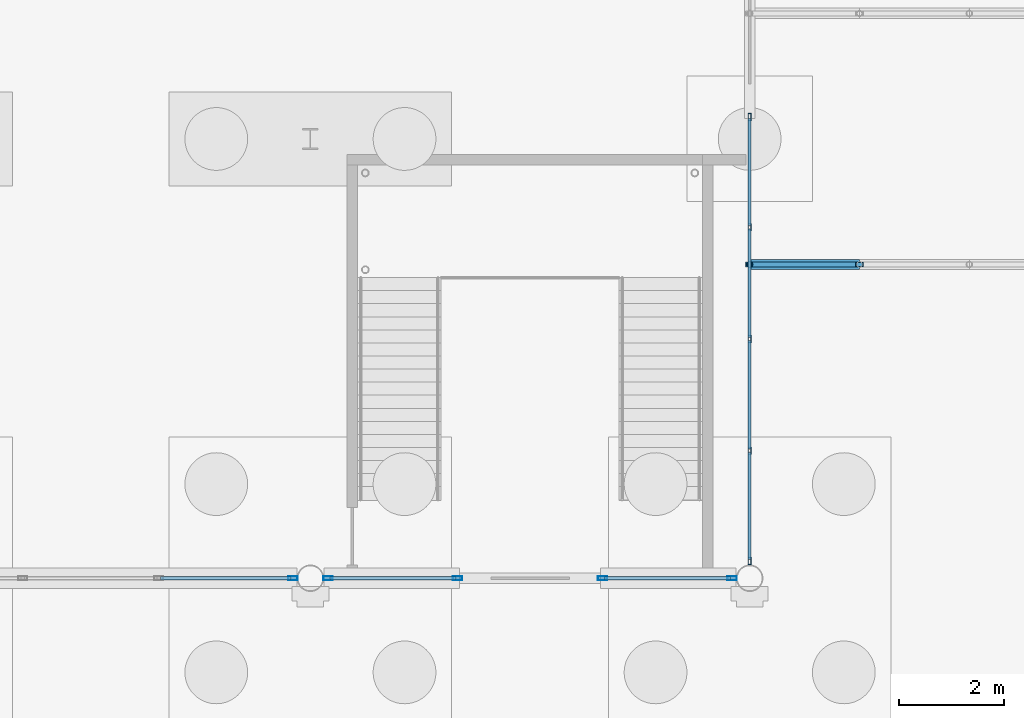
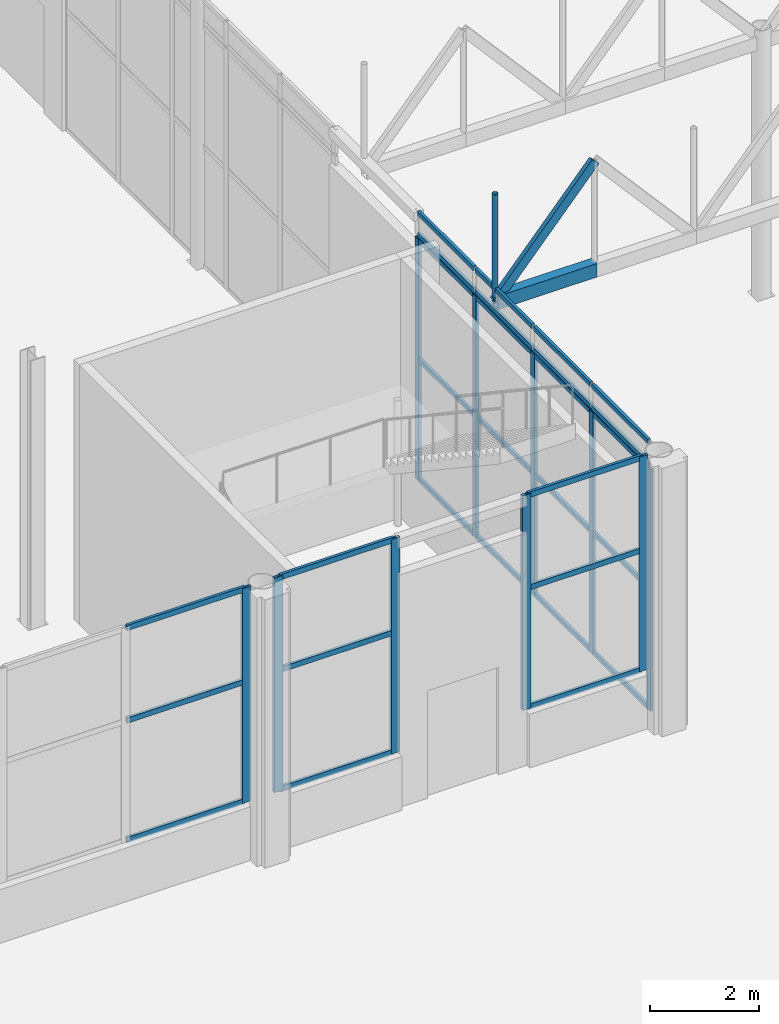
# One storey, part 110 of 212: 42 members, 5 elements without a shape of their own.
"""IFC4 building model written with IfcOpenShell, lengths in metres."""

from ifc_helpers import new_model, si_unit, direction, frame, origin, origin_2d, place, context, subcontext, project, spatial, hollow_rectangle, hollow_circle, extrude, material, material_profile, profile_set, type_object, element, aggregate, save


model = new_model("IFC4")

# Units and contexts
model_context = context("Model", 3, precision=1e-05, world=origin(), true_north=direction((0.0, 1.0)))
body_context = subcontext(model_context, "Body", "Model", "MODEL_VIEW")
ifc_project = project(units=[si_unit("LENGTHUNIT", "METRE"), si_unit("AREAUNIT", "SQUARE_METRE"), si_unit("VOLUMEUNIT", "CUBIC_METRE"), si_unit("PLANEANGLEUNIT", "RADIAN"), si_unit("MASSUNIT", "GRAM", prefix="KILO")], contexts=[model_context])

# Site, building, storey
site_placement = place(None, origin())
site = spatial("IfcSite", under=ifc_project, at=site_placement, CompositionType="ELEMENT")
building_placement = place(site_placement, origin())
building = spatial("IfcBuilding", under=site, at=building_placement, Name="Catenary Quay Ferry Terminal", CompositionType="ELEMENT")
storey_placement = place(building_placement, origin())
storey = spatial("IfcBuildingStorey", under=building, at=storey_placement, Name="L00", CompositionType="ELEMENT", Elevation=0.0)

# Members
ifc_material_1 = material(Name="Steel S355", Category="steel")
ifc_material_profile_1 = material_profile(ifc_material_1, hollow_rectangle(XDim=0.10009765625, YDim=0.199951171875, WallThickness=0.008056640625, at=origin_2d()), Name="RHS 200x100x8")
ifc_profile_set_1 = profile_set([ifc_material_profile_1], Name="Steel S355")
member_type_1 = type_object("IfcMemberType", Name="BR3 RHS 200x100x8", PredefinedType="BRACE", material=ifc_profile_set_1)
member_1_placement = place(storey_placement, frame((92.39990234375, 73.199951171875, 5.699951171875), z_axis=(0.65849918825, 0.0, 0.752581436839), x_axis=(0.0, 1.0, 0.0)))
element("IfcMember", 1, at=member_1_placement, inside=storey, type_object=member_type_1, Name="Bridge diagonal BB1S-D01", PredefinedType="BRACE", context=body_context, shape_type="SweptSolid", body=[
    extrude(hollow_rectangle(XDim=0.10009765625, YDim=0.199951171875, WallThickness=0.008056640625, at=origin_2d()), origin(), (0.0, 0.0, 1.0), 3.189208984375),
])
ifc_material_2 = material(Name="Steel S355", Category="steel")
ifc_material_profile_2 = material_profile(ifc_material_2, hollow_circle(Radius=0.05712890625, WallThickness=0.00634765625, at=origin_2d()), Name="CHS 114.3x6.3")
ifc_profile_set_2 = profile_set([ifc_material_profile_2], Name="Steel S355")
member_type_2 = type_object("IfcMemberType", Name="HG1 CHS 114.3x6.3", PredefinedType="POST", material=ifc_profile_set_2)
member_2_placement = place(storey_placement, frame((92.39990234375, 73.199951171875, 5.699951171875), z_axis=(0.0, 0.0, 1.0), x_axis=(1.0, 0.0, 0.0)))
element("IfcMember", 2, at=member_2_placement, inside=storey, type_object=member_type_2, Name="Bridge post BB1S-P01", PredefinedType="POST", context=body_context, shape_type="SweptSolid", body=[
    extrude(hollow_circle(Radius=0.05712890625, WallThickness=0.00634765625, at=origin_2d()), origin(), (0.0, 0.0, 1.0), 2.400146484375),
])

# Curtain wall, members
ifc_material_3 = material(Name="Aluminium and glass", Category="aluminium")
curtain_wall_type_1 = type_object("IfcCurtainWallType", Name="CWG", PredefinedType="NOTDEFINED", material=ifc_material_3)
curtain_wall_1_placement = place(storey_placement, origin())
curtain_wall_1 = element("IfcCurtainWall", 3, at=curtain_wall_1_placement, inside=storey, type_object=curtain_wall_type_1, Name="Gable arrivals hall curtain wall CW6", PredefinedType="NOTDEFINED")
ifc_material_4 = material(Name="Aluminium", Category="aluminium")
ifc_material_profile_3 = material_profile(ifc_material_4, hollow_rectangle(XDim=0.06005859375, YDim=0.139892578125, WallThickness=0.006103515625, at=origin_2d()), Name="MU2")
ifc_profile_set_3 = profile_set([ifc_material_profile_3], Name="Aluminium")
member_type_3 = type_object("IfcMemberType", Name="MU2", PredefinedType="MULLION", material=ifc_profile_set_3)
member_3_placement = place(storey_placement, frame((92.39990234375, 67.530029296875, 0.0), z_axis=(0.0, 0.0, 1.0), x_axis=(-1.0, 0.0, 0.0)))
member_3 = element("IfcMember", 4, at=member_3_placement, type_object=member_type_3, Name="CW6 mullion 1", PredefinedType="MULLION", context=body_context, shape_type="SweptSolid", body=[
    extrude(hollow_rectangle(XDim=0.06005859375, YDim=0.139892578125, WallThickness=0.006103515625, at=origin_2d()), origin(), (0.0, 0.0, 1.0), 5.39990234375),
])
member_4_placement = place(storey_placement, frame((92.39990234375, 69.637451171875, 0.0), z_axis=(0.0, 0.0, 1.0), x_axis=(-1.0, 0.0, 0.0)))
member_4 = element("IfcMember", 5, at=member_4_placement, type_object=member_type_3, Name="CW6 mullion 2", PredefinedType="MULLION", context=body_context, shape_type="SweptSolid", body=[
    extrude(hollow_rectangle(XDim=0.06005859375, YDim=0.139892578125, WallThickness=0.006103515625, at=origin_2d()), origin(), (0.0, 0.0, 1.0), 5.39990234375),
])
member_5_placement = place(storey_placement, frame((92.39990234375, 71.77490234375, 0.0), z_axis=(0.0, 0.0, 1.0), x_axis=(-1.0, 0.0, 0.0)))
member_5 = element("IfcMember", 6, at=member_5_placement, type_object=member_type_3, Name="CW6 mullion 3", PredefinedType="MULLION", context=body_context, shape_type="SweptSolid", body=[
    extrude(hollow_rectangle(XDim=0.06005859375, YDim=0.139892578125, WallThickness=0.006103515625, at=origin_2d()), origin(), (0.0, 0.0, 1.0), 5.39990234375),
])
member_6_placement = place(storey_placement, frame((92.39990234375, 73.91259765625, 0.0), z_axis=(0.0, 0.0, 1.0), x_axis=(-1.0, 0.0, 0.0)))
member_6 = element("IfcMember", 7, at=member_6_placement, type_object=member_type_3, Name="CW6 mullion 4", PredefinedType="MULLION", context=body_context, shape_type="SweptSolid", body=[
    extrude(hollow_rectangle(XDim=0.06005859375, YDim=0.139892578125, WallThickness=0.006103515625, at=origin_2d()), origin(), (0.0, 0.0, 1.0), 5.39990234375),
])
member_7_placement = place(storey_placement, frame((92.39990234375, 76.02001953125, 0.0), z_axis=(0.0, 0.0, 1.0), x_axis=(-1.0, 0.0, 0.0)))
member_7 = element("IfcMember", 8, at=member_7_placement, type_object=member_type_3, Name="CW6 mullion 5", PredefinedType="MULLION", context=body_context, shape_type="SweptSolid", body=[
    extrude(hollow_rectangle(XDim=0.06005859375, YDim=0.139892578125, WallThickness=0.006103515625, at=origin_2d()), origin(), (0.0, 0.0, 1.0), 5.39990234375),
])

# Curtain wall, member
ifc_material_5 = material(Name="Aluminium and glass", Category="aluminium")
curtain_wall_type_2 = type_object("IfcCurtainWallType", Name="CWH", PredefinedType="NOTDEFINED", material=ifc_material_5)
curtain_wall_2_placement = place(storey_placement, origin())
curtain_wall_2 = element("IfcCurtainWall", 9, at=curtain_wall_2_placement, inside=storey, type_object=curtain_wall_type_2, Name="Hall curtain wall CW29", PredefinedType="NOTDEFINED")
ifc_material_6 = material(Name="Aluminium", Category="aluminium")
ifc_material_profile_4 = material_profile(ifc_material_6, hollow_rectangle(XDim=0.070068359375, YDim=0.179931640625, WallThickness=0.006103515625, at=origin_2d()), Name="MU3")
ifc_profile_set_4 = profile_set([ifc_material_profile_4], Name="Aluminium")
member_type_4 = type_object("IfcMemberType", Name="MU3", PredefinedType="MULLION", material=ifc_profile_set_4)
member_8_placement = place(storey_placement, frame((83.6650390625, 67.199951171875, 1.199951171875), z_axis=(0.0, 0.0, 1.0), x_axis=(0.0, 1.0, 0.0)))
member_8 = element("IfcMember", 10, at=member_8_placement, type_object=member_type_4, Name="CW29 mullion 4", PredefinedType="MULLION", context=body_context, shape_type="SweptSolid", body=[
    extrude(hollow_rectangle(XDim=0.070068359375, YDim=0.179931640625, WallThickness=0.006103515625, at=origin_2d()), origin(), (0.0, 0.0, 1.0), 4.800048828125),
])

# Curtain wall, members
curtain_wall_3_placement = place(storey_placement, origin())
curtain_wall_3 = element("IfcCurtainWall", 11, at=curtain_wall_3_placement, inside=storey, type_object=curtain_wall_type_2, Name="Hall curtain wall CW30", PredefinedType="NOTDEFINED")
member_9_placement = place(storey_placement, frame((84.3349609375, 67.199951171875, 1.199951171875), z_axis=(0.0, 0.0, 1.0), x_axis=(0.0, 1.0, 0.0)))
member_9 = element("IfcMember", 12, at=member_9_placement, type_object=member_type_4, Name="CW30 mullion 1", PredefinedType="MULLION", context=body_context, shape_type="SweptSolid", body=[
    extrude(hollow_rectangle(XDim=0.070068359375, YDim=0.179931640625, WallThickness=0.006103515625, at=origin_2d()), origin(), (0.0, 0.0, 1.0), 4.800048828125),
])
member_10_placement = place(storey_placement, frame((86.81494140625, 67.199951171875, 1.199951171875), z_axis=(0.0, 0.0, 1.0), x_axis=(0.0, 1.0, 0.0)))
member_10 = element("IfcMember", 13, at=member_10_placement, type_object=member_type_4, Name="CW30 mullion 2", PredefinedType="MULLION", context=body_context, shape_type="SweptSolid", body=[
    extrude(hollow_rectangle(XDim=0.070068359375, YDim=0.179931640625, WallThickness=0.006103515625, at=origin_2d()), origin(), (0.0, 0.0, 1.0), 4.800048828125),
])

curtain_wall_4_placement = place(storey_placement, origin())
curtain_wall_4 = element("IfcCurtainWall", 14, at=curtain_wall_4_placement, inside=storey, type_object=curtain_wall_type_2, Name="Hall curtain wall CW31", PredefinedType="NOTDEFINED")
member_11_placement = place(storey_placement, frame((89.5849609375, 67.199951171875, 1.199951171875), z_axis=(0.0, 0.0, 1.0), x_axis=(0.0, 1.0, 0.0)))
member_11 = element("IfcMember", 15, at=member_11_placement, type_object=member_type_4, Name="CW31 mullion 1", PredefinedType="MULLION", context=body_context, shape_type="SweptSolid", body=[
    extrude(hollow_rectangle(XDim=0.070068359375, YDim=0.179931640625, WallThickness=0.006103515625, at=origin_2d()), origin(), (0.0, 0.0, 1.0), 4.800048828125),
])
member_12_placement = place(storey_placement, frame((92.06494140625, 67.199951171875, 1.199951171875), z_axis=(0.0, 0.0, 1.0), x_axis=(0.0, 1.0, 0.0)))
member_12 = element("IfcMember", 16, at=member_12_placement, type_object=member_type_4, Name="CW31 mullion 2", PredefinedType="MULLION", context=body_context, shape_type="SweptSolid", body=[
    extrude(hollow_rectangle(XDim=0.070068359375, YDim=0.179931640625, WallThickness=0.006103515625, at=origin_2d()), origin(), (0.0, 0.0, 1.0), 4.800048828125),
])

# Member
ifc_material_7 = material(Name="Steel S355", Category="steel")
ifc_material_profile_5 = material_profile(ifc_material_7, hollow_rectangle(XDim=0.199951171875, YDim=0.300048828125, WallThickness=0.012451171875, at=origin_2d()), Name="RHS 300x200x12.5")
ifc_profile_set_5 = profile_set([ifc_material_profile_5], Name="Steel S355")
member_type_5 = type_object("IfcMemberType", Name="TC1 RHS 300x200x12.5", PredefinedType="CHORD", material=ifc_profile_set_5)
member_13_placement = place(storey_placement, frame((92.39990234375, 73.199951171875, 5.699951171875), z_axis=(1.0, 0.0, 0.0), x_axis=(0.0, 1.0, 0.0)))
element("IfcMember", 17, at=member_13_placement, inside=storey, type_object=member_type_5, Name="Bridge bottom chord BB1S-BC01", PredefinedType="CHORD", context=body_context, shape_type="SweptSolid", body=[
    extrude(hollow_rectangle(XDim=0.199951171875, YDim=0.300048828125, WallThickness=0.012451171875, at=origin_2d()), origin(), (0.0, 0.0, 1.0), 2.10009765625),
])

ifc_material_8 = material(Name="Aluminium", Category="aluminium")
ifc_material_profile_6 = material_profile(ifc_material_8, hollow_rectangle(XDim=0.06005859375, YDim=0.10009765625, WallThickness=0.0048828125, at=origin_2d()), Name="TR2")
ifc_profile_set_6 = profile_set([ifc_material_profile_6], Name="Aluminium")
member_type_6 = type_object("IfcMemberType", Name="TR2", PredefinedType="USERDEFINED", material=ifc_profile_set_6)
member_14_placement = place(storey_placement, frame((92.39990234375, 67.56005859375, 0.030029296875), z_axis=(0.0, 1.0, 0.0), x_axis=(-1.0, 0.0, 0.0)))
member_14 = element("IfcMember", 18, at=member_14_placement, type_object=member_type_6, Name="CW6 transom 1.1", ObjectType="TRANSOM", PredefinedType="USERDEFINED", context=body_context, shape_type="SweptSolid", body=[
    extrude(hollow_rectangle(XDim=0.06005859375, YDim=0.10009765625, WallThickness=0.0048828125, at=origin_2d()), origin(), (0.0, 0.0, 1.0), 2.04736328125),
])

member_15_placement = place(storey_placement, frame((92.39990234375, 67.56005859375, 2.699951171875), z_axis=(0.0, 1.0, 0.0), x_axis=(-1.0, 0.0, 0.0)))
member_15 = element("IfcMember", 19, at=member_15_placement, type_object=member_type_6, Name="CW6 transom 1.2", ObjectType="TRANSOM", PredefinedType="USERDEFINED", context=body_context, shape_type="SweptSolid", body=[
    extrude(hollow_rectangle(XDim=0.06005859375, YDim=0.10009765625, WallThickness=0.0048828125, at=origin_2d()), origin(), (0.0, 0.0, 1.0), 2.04736328125),
])

member_16_placement = place(storey_placement, frame((92.39990234375, 67.56005859375, 5.3701171875), z_axis=(0.0, 1.0, 0.0), x_axis=(-1.0, 0.0, 0.0)))
member_16 = element("IfcMember", 20, at=member_16_placement, type_object=member_type_6, Name="CW6 transom 1.3", ObjectType="TRANSOM", PredefinedType="USERDEFINED", context=body_context, shape_type="SweptSolid", body=[
    extrude(hollow_rectangle(XDim=0.06005859375, YDim=0.10009765625, WallThickness=0.0048828125, at=origin_2d()), origin(), (0.0, 0.0, 1.0), 2.04736328125),
])

member_17_placement = place(storey_placement, frame((92.39990234375, 69.66748046875, 0.030029296875), z_axis=(0.0, 1.0, 0.0), x_axis=(-1.0, 0.0, 0.0)))
member_17 = element("IfcMember", 21, at=member_17_placement, type_object=member_type_6, Name="CW6 transom 2.1", ObjectType="TRANSOM", PredefinedType="USERDEFINED", context=body_context, shape_type="SweptSolid", body=[
    extrude(hollow_rectangle(XDim=0.06005859375, YDim=0.10009765625, WallThickness=0.0048828125, at=origin_2d()), origin(), (0.0, 0.0, 1.0), 2.07763671875),
])

member_18_placement = place(storey_placement, frame((92.39990234375, 69.66748046875, 2.699951171875), z_axis=(0.0, 1.0, 0.0), x_axis=(-1.0, 0.0, 0.0)))
member_18 = element("IfcMember", 22, at=member_18_placement, type_object=member_type_6, Name="CW6 transom 2.2", ObjectType="TRANSOM", PredefinedType="USERDEFINED", context=body_context, shape_type="SweptSolid", body=[
    extrude(hollow_rectangle(XDim=0.06005859375, YDim=0.10009765625, WallThickness=0.0048828125, at=origin_2d()), origin(), (0.0, 0.0, 1.0), 2.07763671875),
])

member_19_placement = place(storey_placement, frame((92.39990234375, 69.66748046875, 5.3701171875), z_axis=(0.0, 1.0, 0.0), x_axis=(-1.0, 0.0, 0.0)))
member_19 = element("IfcMember", 23, at=member_19_placement, type_object=member_type_6, Name="CW6 transom 2.3", ObjectType="TRANSOM", PredefinedType="USERDEFINED", context=body_context, shape_type="SweptSolid", body=[
    extrude(hollow_rectangle(XDim=0.06005859375, YDim=0.10009765625, WallThickness=0.0048828125, at=origin_2d()), origin(), (0.0, 0.0, 1.0), 2.07763671875),
])

member_20_placement = place(storey_placement, frame((92.39990234375, 71.804931640625, 0.030029296875), z_axis=(0.0, 1.0, 0.0), x_axis=(-1.0, 0.0, 0.0)))
member_20 = element("IfcMember", 24, at=member_20_placement, type_object=member_type_6, Name="CW6 transom 3.1", ObjectType="TRANSOM", PredefinedType="USERDEFINED", context=body_context, shape_type="SweptSolid", body=[
    extrude(hollow_rectangle(XDim=0.06005859375, YDim=0.10009765625, WallThickness=0.0048828125, at=origin_2d()), origin(), (0.0, 0.0, 1.0), 2.07763671875),
])

member_21_placement = place(storey_placement, frame((92.39990234375, 71.804931640625, 2.699951171875), z_axis=(0.0, 1.0, 0.0), x_axis=(-1.0, 0.0, 0.0)))
member_21 = element("IfcMember", 25, at=member_21_placement, type_object=member_type_6, Name="CW6 transom 3.2", ObjectType="TRANSOM", PredefinedType="USERDEFINED", context=body_context, shape_type="SweptSolid", body=[
    extrude(hollow_rectangle(XDim=0.06005859375, YDim=0.10009765625, WallThickness=0.0048828125, at=origin_2d()), origin(), (0.0, 0.0, 1.0), 2.07763671875),
])

member_22_placement = place(storey_placement, frame((92.39990234375, 71.804931640625, 5.3701171875), z_axis=(0.0, 1.0, 0.0), x_axis=(-1.0, 0.0, 0.0)))
member_22 = element("IfcMember", 26, at=member_22_placement, type_object=member_type_6, Name="CW6 transom 3.3", ObjectType="TRANSOM", PredefinedType="USERDEFINED", context=body_context, shape_type="SweptSolid", body=[
    extrude(hollow_rectangle(XDim=0.06005859375, YDim=0.10009765625, WallThickness=0.0048828125, at=origin_2d()), origin(), (0.0, 0.0, 1.0), 2.07763671875),
])

member_23_placement = place(storey_placement, frame((92.39990234375, 73.9423828125, 0.030029296875), z_axis=(0.0, 1.0, 0.0), x_axis=(-1.0, 0.0, 0.0)))
member_23 = element("IfcMember", 27, at=member_23_placement, type_object=member_type_6, Name="CW6 transom 4.1", ObjectType="TRANSOM", PredefinedType="USERDEFINED", context=body_context, shape_type="SweptSolid", body=[
    extrude(hollow_rectangle(XDim=0.06005859375, YDim=0.10009765625, WallThickness=0.0048828125, at=origin_2d()), origin(), (0.0, 0.0, 1.0), 2.047607421875),
])

member_24_placement = place(storey_placement, frame((92.39990234375, 73.9423828125, 2.699951171875), z_axis=(0.0, 1.0, 0.0), x_axis=(-1.0, 0.0, 0.0)))
member_24 = element("IfcMember", 28, at=member_24_placement, type_object=member_type_6, Name="CW6 transom 4.2", ObjectType="TRANSOM", PredefinedType="USERDEFINED", context=body_context, shape_type="SweptSolid", body=[
    extrude(hollow_rectangle(XDim=0.06005859375, YDim=0.10009765625, WallThickness=0.0048828125, at=origin_2d()), origin(), (0.0, 0.0, 1.0), 2.047607421875),
])

member_25_placement = place(storey_placement, frame((92.39990234375, 73.9423828125, 5.3701171875), z_axis=(0.0, 1.0, 0.0), x_axis=(-1.0, 0.0, 0.0)))
member_25 = element("IfcMember", 29, at=member_25_placement, type_object=member_type_6, Name="CW6 transom 4.3", ObjectType="TRANSOM", PredefinedType="USERDEFINED", context=body_context, shape_type="SweptSolid", body=[
    extrude(hollow_rectangle(XDim=0.06005859375, YDim=0.10009765625, WallThickness=0.0048828125, at=origin_2d()), origin(), (0.0, 0.0, 1.0), 2.047607421875),
])

aggregate(curtain_wall_1, [member_3, member_4, member_5, member_6, member_7, member_14, member_15, member_16, member_17, member_18, member_19, member_20, member_21, member_22, member_23, member_24, member_25])

# Curtain wall, members
ifc_material_9 = material(Name="Aluminium and glass", Category="aluminium")
curtain_wall_type_3 = type_object("IfcCurtainWallType", Name="CWQ", PredefinedType="NOTDEFINED", material=ifc_material_9)
curtain_wall_5_placement = place(storey_placement, origin())
curtain_wall_5 = element("IfcCurtainWall", 30, at=curtain_wall_5_placement, inside=storey, type_object=curtain_wall_type_3, Name="Gable band arrivals hall curtain wall CW170", PredefinedType="NOTDEFINED")
member_26_placement = place(storey_placement, frame((92.39990234375, 67.56005859375, 5.489990234375), z_axis=(0.0, 1.0, 0.0), x_axis=(-1.0, 0.0, 0.0)))
member_26 = element("IfcMember", 31, at=member_26_placement, type_object=member_type_6, Name="CW170 transom 1.1", ObjectType="TRANSOM", PredefinedType="USERDEFINED", context=body_context, shape_type="SweptSolid", body=[
    extrude(hollow_rectangle(XDim=0.06005859375, YDim=0.10009765625, WallThickness=0.0048828125, at=origin_2d()), origin(), (0.0, 0.0, 1.0), 2.04736328125),
])
member_27_placement = place(storey_placement, frame((92.39990234375, 67.56005859375, 5.969970703125), z_axis=(0.0, 1.0, 0.0), x_axis=(-1.0, 0.0, 0.0)))
member_27 = element("IfcMember", 32, at=member_27_placement, type_object=member_type_6, Name="CW170 transom 1.2", ObjectType="TRANSOM", PredefinedType="USERDEFINED", context=body_context, shape_type="SweptSolid", body=[
    extrude(hollow_rectangle(XDim=0.06005859375, YDim=0.10009765625, WallThickness=0.0048828125, at=origin_2d()), origin(), (0.0, 0.0, 1.0), 2.04736328125),
])
member_28_placement = place(storey_placement, frame((92.39990234375, 69.66748046875, 5.489990234375), z_axis=(0.0, 1.0, 0.0), x_axis=(-1.0, 0.0, 0.0)))
member_28 = element("IfcMember", 33, at=member_28_placement, type_object=member_type_6, Name="CW170 transom 2.1", ObjectType="TRANSOM", PredefinedType="USERDEFINED", context=body_context, shape_type="SweptSolid", body=[
    extrude(hollow_rectangle(XDim=0.06005859375, YDim=0.10009765625, WallThickness=0.0048828125, at=origin_2d()), origin(), (0.0, 0.0, 1.0), 2.07763671875),
])
member_29_placement = place(storey_placement, frame((92.39990234375, 69.66748046875, 5.969970703125), z_axis=(0.0, 1.0, 0.0), x_axis=(-1.0, 0.0, 0.0)))
member_29 = element("IfcMember", 34, at=member_29_placement, type_object=member_type_6, Name="CW170 transom 2.2", ObjectType="TRANSOM", PredefinedType="USERDEFINED", context=body_context, shape_type="SweptSolid", body=[
    extrude(hollow_rectangle(XDim=0.06005859375, YDim=0.10009765625, WallThickness=0.0048828125, at=origin_2d()), origin(), (0.0, 0.0, 1.0), 2.07763671875),
])
member_30_placement = place(storey_placement, frame((92.39990234375, 71.804931640625, 5.489990234375), z_axis=(0.0, 1.0, 0.0), x_axis=(-1.0, 0.0, 0.0)))
member_30 = element("IfcMember", 35, at=member_30_placement, type_object=member_type_6, Name="CW170 transom 3.1", ObjectType="TRANSOM", PredefinedType="USERDEFINED", context=body_context, shape_type="SweptSolid", body=[
    extrude(hollow_rectangle(XDim=0.06005859375, YDim=0.10009765625, WallThickness=0.0048828125, at=origin_2d()), origin(), (0.0, 0.0, 1.0), 2.07763671875),
])
member_31_placement = place(storey_placement, frame((92.39990234375, 71.804931640625, 5.969970703125), z_axis=(0.0, 1.0, 0.0), x_axis=(-1.0, 0.0, 0.0)))
member_31 = element("IfcMember", 36, at=member_31_placement, type_object=member_type_6, Name="CW170 transom 3.2", ObjectType="TRANSOM", PredefinedType="USERDEFINED", context=body_context, shape_type="SweptSolid", body=[
    extrude(hollow_rectangle(XDim=0.06005859375, YDim=0.10009765625, WallThickness=0.0048828125, at=origin_2d()), origin(), (0.0, 0.0, 1.0), 2.07763671875),
])
member_32_placement = place(storey_placement, frame((92.39990234375, 73.9423828125, 5.489990234375), z_axis=(0.0, 1.0, 0.0), x_axis=(-1.0, 0.0, 0.0)))
member_32 = element("IfcMember", 37, at=member_32_placement, type_object=member_type_6, Name="CW170 transom 4.1", ObjectType="TRANSOM", PredefinedType="USERDEFINED", context=body_context, shape_type="SweptSolid", body=[
    extrude(hollow_rectangle(XDim=0.06005859375, YDim=0.10009765625, WallThickness=0.0048828125, at=origin_2d()), origin(), (0.0, 0.0, 1.0), 2.047607421875),
])
member_33_placement = place(storey_placement, frame((92.39990234375, 73.9423828125, 5.969970703125), z_axis=(0.0, 1.0, 0.0), x_axis=(-1.0, 0.0, 0.0)))
member_33 = element("IfcMember", 38, at=member_33_placement, type_object=member_type_6, Name="CW170 transom 4.2", ObjectType="TRANSOM", PredefinedType="USERDEFINED", context=body_context, shape_type="SweptSolid", body=[
    extrude(hollow_rectangle(XDim=0.06005859375, YDim=0.10009765625, WallThickness=0.0048828125, at=origin_2d()), origin(), (0.0, 0.0, 1.0), 2.047607421875),
])
aggregate(curtain_wall_5, [member_26, member_27, member_28, member_29, member_30, member_31, member_32, member_33])

# Member
ifc_material_10 = material(Name="Aluminium", Category="aluminium")
ifc_material_profile_7 = material_profile(ifc_material_10, hollow_rectangle(XDim=0.06005859375, YDim=0.1201171875, WallThickness=0.0048828125, at=origin_2d()), Name="TR3")
ifc_profile_set_7 = profile_set([ifc_material_profile_7], Name="Aluminium")
member_type_7 = type_object("IfcMemberType", Name="TR3", PredefinedType="USERDEFINED", material=ifc_profile_set_7)
member_34_placement = place(storey_placement, frame((81.135009765625, 67.199951171875, 1.22998046875), z_axis=(1.0, 0.0, 0.0), x_axis=(0.0, 1.0, 0.0)))
member_34 = element("IfcMember", 39, at=member_34_placement, type_object=member_type_7, Name="CW29 transom 3.1", ObjectType="TRANSOM", PredefinedType="USERDEFINED", context=body_context, shape_type="SweptSolid", body=[
    extrude(hollow_rectangle(XDim=0.06005859375, YDim=0.1201171875, WallThickness=0.0048828125, at=origin_2d()), origin(), (0.0, 0.0, 1.0), 2.494873046875),
])

member_35_placement = place(storey_placement, frame((81.135009765625, 67.199951171875, 3.89990234375), z_axis=(1.0, 0.0, 0.0), x_axis=(0.0, 1.0, 0.0)))
member_35 = element("IfcMember", 40, at=member_35_placement, type_object=member_type_7, Name="CW29 transom 3.2", ObjectType="TRANSOM", PredefinedType="USERDEFINED", context=body_context, shape_type="SweptSolid", body=[
    extrude(hollow_rectangle(XDim=0.06005859375, YDim=0.1201171875, WallThickness=0.0048828125, at=origin_2d()), origin(), (0.0, 0.0, 1.0), 2.494873046875),
])

member_36_placement = place(storey_placement, frame((81.135009765625, 67.199951171875, 5.969970703125), z_axis=(1.0, 0.0, 0.0), x_axis=(0.0, 1.0, 0.0)))
member_36 = element("IfcMember", 41, at=member_36_placement, type_object=member_type_7, Name="CW29 transom 3.3", ObjectType="TRANSOM", PredefinedType="USERDEFINED", context=body_context, shape_type="SweptSolid", body=[
    extrude(hollow_rectangle(XDim=0.06005859375, YDim=0.1201171875, WallThickness=0.0048828125, at=origin_2d()), origin(), (0.0, 0.0, 1.0), 2.494873046875),
])

aggregate(curtain_wall_2, [member_8, member_34, member_35, member_36])

member_37_placement = place(storey_placement, frame((84.3701171875, 67.199951171875, 1.22998046875), z_axis=(1.0, 0.0, 0.0), x_axis=(0.0, 1.0, 0.0)))
member_37 = element("IfcMember", 42, at=member_37_placement, type_object=member_type_7, Name="CW30 transom 1.1", ObjectType="TRANSOM", PredefinedType="USERDEFINED", context=body_context, shape_type="SweptSolid", body=[
    extrude(hollow_rectangle(XDim=0.06005859375, YDim=0.1201171875, WallThickness=0.0048828125, at=origin_2d()), origin(), (0.0, 0.0, 1.0), 2.409912109375),
])

member_38_placement = place(storey_placement, frame((84.3701171875, 67.199951171875, 3.89990234375), z_axis=(1.0, 0.0, 0.0), x_axis=(0.0, 1.0, 0.0)))
member_38 = element("IfcMember", 43, at=member_38_placement, type_object=member_type_7, Name="CW30 transom 1.2", ObjectType="TRANSOM", PredefinedType="USERDEFINED", context=body_context, shape_type="SweptSolid", body=[
    extrude(hollow_rectangle(XDim=0.06005859375, YDim=0.1201171875, WallThickness=0.0048828125, at=origin_2d()), origin(), (0.0, 0.0, 1.0), 2.409912109375),
])

member_39_placement = place(storey_placement, frame((84.3701171875, 67.199951171875, 5.969970703125), z_axis=(1.0, 0.0, 0.0), x_axis=(0.0, 1.0, 0.0)))
member_39 = element("IfcMember", 44, at=member_39_placement, type_object=member_type_7, Name="CW30 transom 1.3", ObjectType="TRANSOM", PredefinedType="USERDEFINED", context=body_context, shape_type="SweptSolid", body=[
    extrude(hollow_rectangle(XDim=0.06005859375, YDim=0.1201171875, WallThickness=0.0048828125, at=origin_2d()), origin(), (0.0, 0.0, 1.0), 2.409912109375),
])

aggregate(curtain_wall_3, [member_9, member_10, member_37, member_38, member_39])

member_40_placement = place(storey_placement, frame((89.6201171875, 67.199951171875, 1.22998046875), z_axis=(1.0, 0.0, 0.0), x_axis=(0.0, 1.0, 0.0)))
member_40 = element("IfcMember", 45, at=member_40_placement, type_object=member_type_7, Name="CW31 transom 1.1", ObjectType="TRANSOM", PredefinedType="USERDEFINED", context=body_context, shape_type="SweptSolid", body=[
    extrude(hollow_rectangle(XDim=0.06005859375, YDim=0.1201171875, WallThickness=0.0048828125, at=origin_2d()), origin(), (0.0, 0.0, 1.0), 2.409912109375),
])

member_41_placement = place(storey_placement, frame((89.6201171875, 67.199951171875, 3.89990234375), z_axis=(1.0, 0.0, 0.0), x_axis=(0.0, 1.0, 0.0)))
member_41 = element("IfcMember", 46, at=member_41_placement, type_object=member_type_7, Name="CW31 transom 1.2", ObjectType="TRANSOM", PredefinedType="USERDEFINED", context=body_context, shape_type="SweptSolid", body=[
    extrude(hollow_rectangle(XDim=0.06005859375, YDim=0.1201171875, WallThickness=0.0048828125, at=origin_2d()), origin(), (0.0, 0.0, 1.0), 2.409912109375),
])

member_42_placement = place(storey_placement, frame((89.6201171875, 67.199951171875, 5.969970703125), z_axis=(1.0, 0.0, 0.0), x_axis=(0.0, 1.0, 0.0)))
member_42 = element("IfcMember", 47, at=member_42_placement, type_object=member_type_7, Name="CW31 transom 1.3", ObjectType="TRANSOM", PredefinedType="USERDEFINED", context=body_context, shape_type="SweptSolid", body=[
    extrude(hollow_rectangle(XDim=0.06005859375, YDim=0.1201171875, WallThickness=0.0048828125, at=origin_2d()), origin(), (0.0, 0.0, 1.0), 2.409912109375),
])

aggregate(curtain_wall_4, [member_11, member_12, member_40, member_41, member_42])

save(model, "model.ifc")
